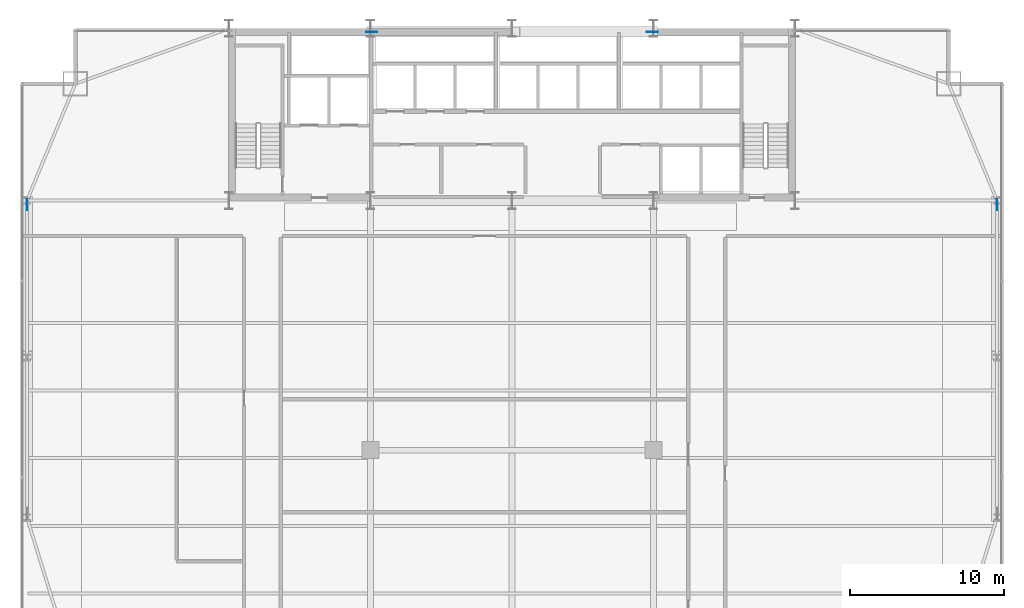
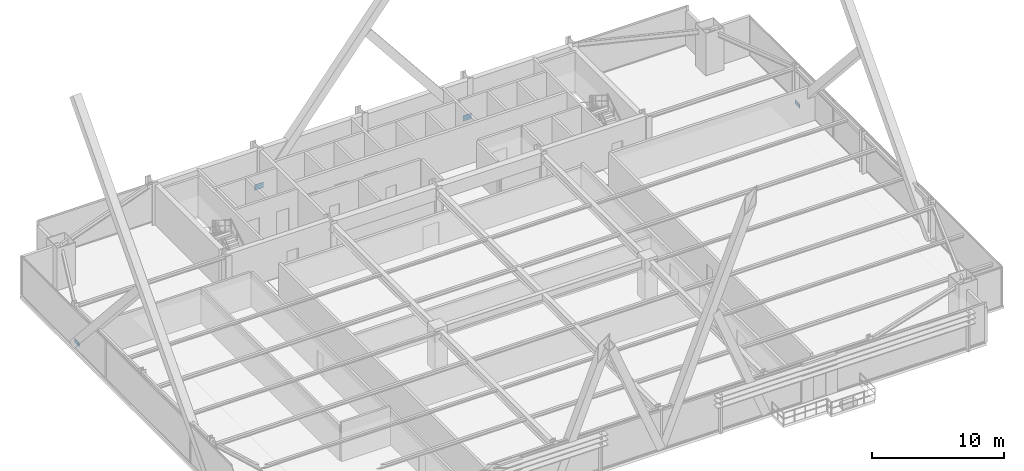
# One storey, part 27 of 32: 4 plates.
"""IFC4 building model written with IfcOpenShell, lengths in metres."""

from ifc_helpers import new_model, si_unit, direction, frame, origin, origin_2d, place, context, subcontext, project, spatial, rectangle, extrude, source, transform, mapped, material, layer, layer_set, type_object, type_shapes, element, save


model = new_model("IFC4")

# Units and contexts
model_context = context("Model", 3, precision=1e-05, world=origin(), true_north=direction((0.0, 1.0)))
body_context = subcontext(model_context, "Body", "Model", "MODEL_VIEW")
ifc_project = project(units=[si_unit("LENGTHUNIT", "METRE"), si_unit("AREAUNIT", "SQUARE_METRE"), si_unit("VOLUMEUNIT", "CUBIC_METRE"), si_unit("PLANEANGLEUNIT", "RADIAN"), si_unit("MASSUNIT", "GRAM", prefix="KILO")], contexts=[model_context])

# Site, building, storey
site_placement = place(None, origin())
site = spatial("IfcSite", under=ifc_project, at=site_placement, CompositionType="ELEMENT")
building_placement = place(site_placement, origin())
building = spatial("IfcBuilding", under=site, at=building_placement, Name="Varnel Quay Broadcast Tower", CompositionType="ELEMENT")
storey_placement = place(building_placement, frame((0.0, 0.0, 58.800048828125)))
storey = spatial("IfcBuildingStorey", under=building, at=storey_placement, Name="L13", CompositionType="ELEMENT", Elevation=58.800048828125)

# Plates
ifc_material = material(Name="Structural Steel CSA G40.21 350WT", Category="steel")
ifc_layer_1 = layer(ifc_material, 0.031982421875, Name="Structural Steel CSA G40.21 350WT")
ifc_layer_set_1 = layer_set([ifc_layer_1], Name="Structural Steel CSA G40.21 350WT")
plate_type_1 = type_object("IfcPlateType", Name="Plate_EndCap", PredefinedType="USERDEFINED", material=ifc_layer_set_1)
shared_shape_1 = source(origin(), body_context, "Body", "SweptSolid", [
    extrude(rectangle(XDim=0.719970703125, YDim=0.031982421875, at=origin_2d()), origin(), (0.0, 0.0, 1.0), 0.3798828125),
])
type_shapes(plate_type_1, [shared_shape_1])
for number, where, z_axis, x_axis, name in (
    (1, (2.449951171875, 35.3466796875, 0.11328125), (0.0, 0.0, 1.0), (0.0, 1.0, 0.0), "Zone 1 Mega-Brace W-FT3 Diag B1 End Connection Plate P0"),
    (2, (65.550048828125, 35.3466796875, 0.11328125), (0.0, 0.0, 1.0), (0.0, 1.0, 0.0), "Zone 1 Mega-Brace E-FT3 Diag B1 End Connection Plate P0"),
):
    element("IfcPlate", number, at=place(storey_placement, frame(where, z_axis=z_axis, x_axis=x_axis)), inside=storey, type_object=plate_type_1, Name=name, ObjectType="CAP_PLATE", PredefinedType="USERDEFINED", context=body_context, shape_type="MappedRepresentation", body=[
        mapped(shared_shape_1, transform((0.0, 0.0, 0.0), x_axis=(1.0, 0.0, 0.0), y_axis=(0.0, 1.0, 0.0), z_axis=(0.0, 0.0, 1.0), scale=1.0)),
    ])
ifc_layer_2 = layer(ifc_material, 0.0400390625, Name="Structural Steel CSA G40.21 350WT")
ifc_layer_set_2 = layer_set([ifc_layer_2], Name="Structural Steel CSA G40.21 350WT")
plate_type_2 = type_object("IfcPlateType", Name="Plate_EmbedPlate", PredefinedType="USERDEFINED", material=ifc_layer_set_2)
shared_shape_2 = source(origin(), body_context, "Body", "SweptSolid", [
    extrude(rectangle(XDim=0.739990234375, YDim=0.0400390625, at=origin_2d()), origin(), (0.0, 0.0, 1.0), 0.50390625),
])
type_shapes(plate_type_2, [shared_shape_2])
for number, where, z_axis, x_axis, name in (
    (3, (24.875, 46.580078125, -0.13818359375), (0.0, 0.0, 1.0), (1.0, 0.0, 0.0), "Zone 1 Mega-Brace N-CT3 Diag A Wall Cast-In Embed Plate P0"),
    (4, (43.125, 46.580078125, -0.13818359375), (0.0, 0.0, 1.0), (1.0, 0.0, 0.0), "Zone 1 Mega-Brace N-CT3 Diag B1 Wall Cast-In Embed Plate P0"),
):
    element("IfcPlate", number, at=place(storey_placement, frame(where, z_axis=z_axis, x_axis=x_axis)), inside=storey, type_object=plate_type_2, Name=name, ObjectType="EMBED_PLATE", PredefinedType="USERDEFINED", context=body_context, shape_type="MappedRepresentation", body=[
        mapped(shared_shape_2, transform((0.0, 0.0, 0.0), x_axis=(1.0, 0.0, 0.0), y_axis=(0.0, 1.0, 0.0), z_axis=(0.0, 0.0, 1.0), scale=1.0)),
    ])

save(model, "model.ifc")
